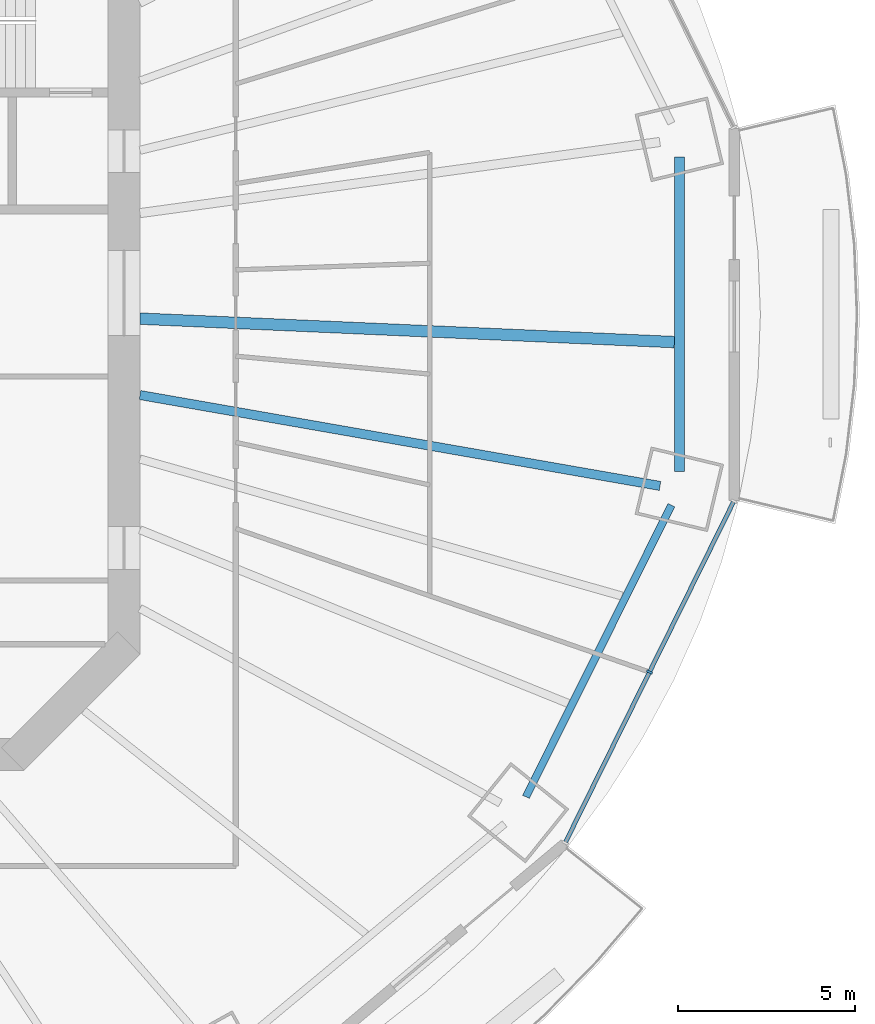
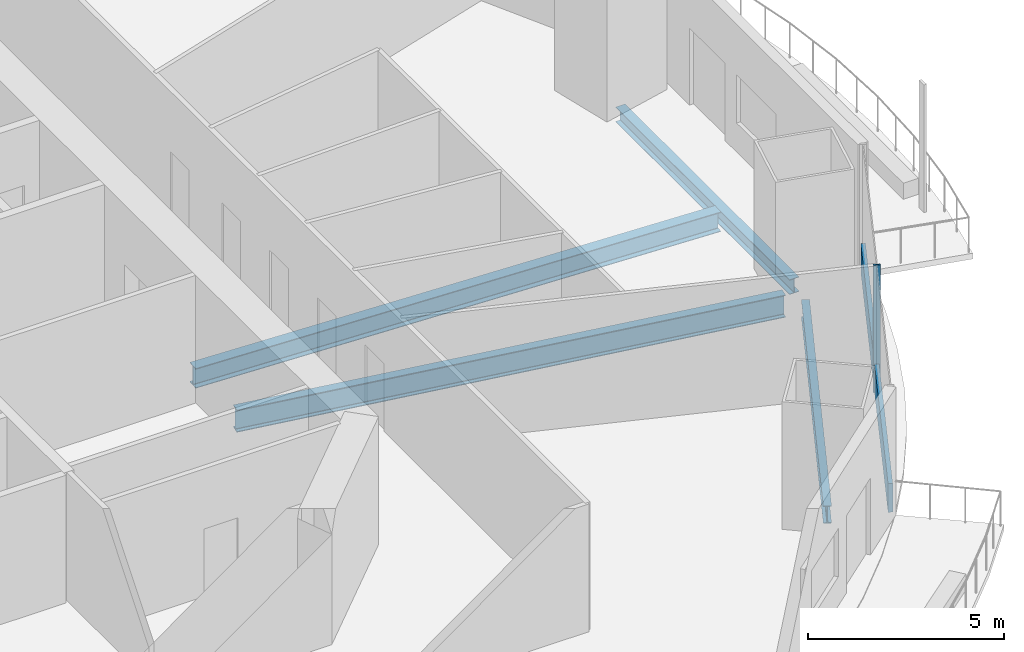
# One storey, part 5 of 20: 4 beams, 2 members, 1 element without a shape of its own.
"""IFC4 building model written with IfcOpenShell, lengths in metres."""

from ifc_helpers import new_model, si_unit, direction, frame, origin, origin_2d, place, context, subcontext, project, spatial, rectangle, i_section, extrude, material, material_profile, profile_set, type_object, element, aggregate, save


model = new_model("IFC4")

# Units and contexts
model_context = context("Model", 3, precision=1e-05, world=origin(), true_north=direction((0.0, 1.0)))
body_context = subcontext(model_context, "Body", "Model", "MODEL_VIEW")
ifc_project = project(units=[si_unit("LENGTHUNIT", "METRE"), si_unit("AREAUNIT", "SQUARE_METRE"), si_unit("VOLUMEUNIT", "CUBIC_METRE"), si_unit("PLANEANGLEUNIT", "RADIAN"), si_unit("MASSUNIT", "GRAM", prefix="KILO")], contexts=[model_context])

# Site, building, storey
site_placement = place(None, origin())
site = spatial("IfcSite", under=ifc_project, at=site_placement, CompositionType="ELEMENT")
building_placement = place(site_placement, origin())
building = spatial("IfcBuilding", under=site, at=building_placement, Name="Marenthal Gate Tower", CompositionType="ELEMENT")
storey_placement = place(building_placement, frame((0.0, 0.0, 190.10009765625)))
storey = spatial("IfcBuildingStorey", under=building, at=storey_placement, Name="L41", CompositionType="ELEMENT", Elevation=190.10009765625)

# Curtain wall, members
ifc_material_1 = material(Name="Aluminium and glass", Category="aluminium")
curtain_wall_type = type_object("IfcCurtainWallType", Name="Curtain wall typical mid", PredefinedType="NOTDEFINED", material=ifc_material_1)
curtain_wall_placement = place(storey_placement, origin())
curtain_wall = element("IfcCurtainWall", 1, at=curtain_wall_placement, inside=storey, type_object=curtain_wall_type, Name="Curtain wall L41 bay 15", PredefinedType="NOTDEFINED")
ifc_material_2 = material(Name="Aluminium", Category="aluminium")
ifc_material_profile_1 = material_profile(ifc_material_2, rectangle(XDim=0.179931640625, YDim=0.06005859375, at=origin_2d()), Name="60x180 aluminium mullion")
ifc_profile_set_1 = profile_set([ifc_material_profile_1], Name="Aluminium")
member_type_1 = type_object("IfcMemberType", Name="Mullion 60x180 typical mid", PredefinedType="MULLION", material=ifc_profile_set_1)
member_1_placement = place(storey_placement, frame((30.8095703125, -10.681640625, 0.0), z_axis=(0.0, 0.0, 1.0), x_axis=(-0.896680826174, 0.442677643406, 0.0)))
member_1 = element("IfcMember", 2, at=member_1_placement, type_object=member_type_1, Name="Mullion L41 bay 15.2", PredefinedType="MULLION", context=body_context, shape_type="SweptSolid", body=[
    extrude(rectangle(XDim=0.179931640625, YDim=0.06005859375, at=origin_2d()), origin(), (0.0, 0.0, 1.0), 3.969970703125),
])
ifc_material_3 = material(Name="Aluminium", Category="aluminium")
ifc_material_profile_2 = material_profile(ifc_material_3, rectangle(XDim=0.1201171875, YDim=0.89990234375, at=origin_2d()), Name="120x900 aluminium transom")
ifc_profile_set_2 = profile_set([ifc_material_profile_2], Name="Aluminium")
member_type_2 = type_object("IfcMemberType", Name="Transom 120x900 typical mid", PredefinedType="USERDEFINED", material=ifc_profile_set_2)
member_2_placement = place(storey_placement, frame((28.446044921875, -15.469482421875, 0.449951171875), z_axis=(0.442681148618, 0.896679095696, 0.0), x_axis=(-0.896679095696, 0.442681148618, 0.0)))
member_2 = element("IfcMember", 3, at=member_2_placement, type_object=member_type_2, Name="Transom L41 bay 15", ObjectType="TRANSOM", PredefinedType="USERDEFINED", context=body_context, shape_type="SweptSolid", body=[
    extrude(rectangle(XDim=0.1201171875, YDim=0.89990234375, at=origin_2d()), origin(), (0.0, 0.0, 1.0), 10.6787109375),
])
aggregate(curtain_wall, [member_1, member_2])

# Beams
ifc_material_4 = material(Name="Steel S355", Category="steel")
ifc_material_profile_3 = material_profile(ifc_material_4, i_section(OverallWidth=0.279052734375, OverallDepth=0.4619140625, WebThickness=0.0107421875, FlangeThickness=0.017333984375, FilletRadius=0.010009765625, at=origin_2d()), Name="W460X113")
ifc_profile_set_3 = profile_set([ifc_material_profile_3], Name="Steel S355")
beam_type_1 = type_object("IfcBeamType", Name="W460X113 beam", PredefinedType="BEAM", material=ifc_profile_set_3)
beam_1_placement = place(storey_placement, frame((31.650146484375, -5.029541015625, -0.4111328125), z_axis=(0.0, 1.0, 0.0), x_axis=(-1.0, 0.0, 0.0)))
element("IfcBeam", 4, at=beam_1_placement, inside=storey, type_object=beam_type_1, Name="BM-L41-56", PredefinedType="BEAM", context=body_context, shape_type="SweptSolid", body=[
    extrude(i_section(OverallWidth=0.279052734375, OverallDepth=0.4619140625, WebThickness=0.0107421875, FlangeThickness=0.017333984375, FilletRadius=0.010009765625, at=origin_2d()), origin(), (0.0, 0.0, 1.0), 8.859130859375),
])
ifc_material_5 = material(Name="Steel S355", Category="steel")
ifc_material_profile_4 = material_profile(ifc_material_5, i_section(OverallWidth=0.2119140625, OverallDepth=0.5439453125, WebThickness=0.01318359375, FlangeThickness=0.021240234375, FilletRadius=0.0126953125, at=origin_2d()), Name="W530X123")
ifc_profile_set_4 = profile_set([ifc_material_profile_4], Name="Steel S355")
beam_type_2 = type_object("IfcBeamType", Name="W530X123 beam", PredefinedType="BEAM", material=ifc_profile_set_4)
beam_2_placement = place(storey_placement, frame((27.327880859375, -14.19970703125, -0.4521484375), z_axis=(0.446267064466, 0.894899830804, 0.0), x_axis=(-0.894899830804, 0.446267064466, 0.0)))
element("IfcBeam", 5, at=beam_2_placement, inside=storey, type_object=beam_type_2, Name="BM-L41-55", PredefinedType="BEAM", context=body_context, shape_type="SweptSolid", body=[
    extrude(i_section(OverallWidth=0.2119140625, OverallDepth=0.5439453125, WebThickness=0.01318359375, FlangeThickness=0.021240234375, FilletRadius=0.0126953125, at=origin_2d()), origin(), (0.0, 0.0, 1.0), 9.184814453125),
])
ifc_material_6 = material(Name="Steel S355", Category="steel")
ifc_material_profile_5 = material_profile(ifc_material_6, i_section(OverallWidth=0.324951171875, OverallDepth=0.612060546875, WebThickness=0.0126953125, FlangeThickness=0.01904296875, FilletRadius=0.0126953125, at=origin_2d()), Name="W610X155")
ifc_profile_set_5 = profile_set([ifc_material_profile_5], Name="Steel S355")
beam_type_3 = type_object("IfcBeamType", Name="W610X155 beam", PredefinedType="BEAM", material=ifc_profile_set_5)
beam_3_placement = place(storey_placement, frame((31.5107421875, -1.383056640625, -0.486083984375), z_axis=(-0.999037889945, 0.043855381121, 0.0), x_axis=(-0.043855381121, -0.999037889945, 0.0)))
element("IfcBeam", 6, at=beam_3_placement, inside=storey, type_object=beam_type_3, Name="BM-L41-40", PredefinedType="BEAM", context=body_context, shape_type="SweptSolid", body=[
    extrude(i_section(OverallWidth=0.324951171875, OverallDepth=0.612060546875, WebThickness=0.0126953125, FlangeThickness=0.01904296875, FilletRadius=0.0126953125, at=origin_2d()), origin(), (0.0, 0.0, 1.0), 15.0751953125),
])
ifc_material_7 = material(Name="Steel S355", Category="steel")
ifc_material_profile_6 = material_profile(ifc_material_7, i_section(OverallWidth=0.257080078125, OverallDepth=0.693115234375, WebThickness=0.014404296875, FlangeThickness=0.023681640625, FilletRadius=0.015380859375, at=origin_2d()), Name="W690X170")
ifc_profile_set_6 = profile_set([ifc_material_profile_6], Name="Steel S355")
beam_type_4 = type_object("IfcBeamType", Name="W690X170 beam", PredefinedType="BEAM", material=ifc_profile_set_6)
beam_4_placement = place(storey_placement, frame((31.1064453125, -5.43701171875, -0.526611328125), z_axis=(-0.985066039894, 0.172176935296, 0.0), x_axis=(-0.172176935296, -0.985066039894, 0.0)))
element("IfcBeam", 7, at=beam_4_placement, inside=storey, type_object=beam_type_4, Name="BM-L41-16", PredefinedType="BEAM", context=body_context, shape_type="SweptSolid", body=[
    extrude(i_section(OverallWidth=0.257080078125, OverallDepth=0.693115234375, WebThickness=0.014404296875, FlangeThickness=0.023681640625, FilletRadius=0.015380859375, at=origin_2d()), origin(), (0.0, 0.0, 1.0), 14.878662109375),
])

save(model, "model.ifc")
